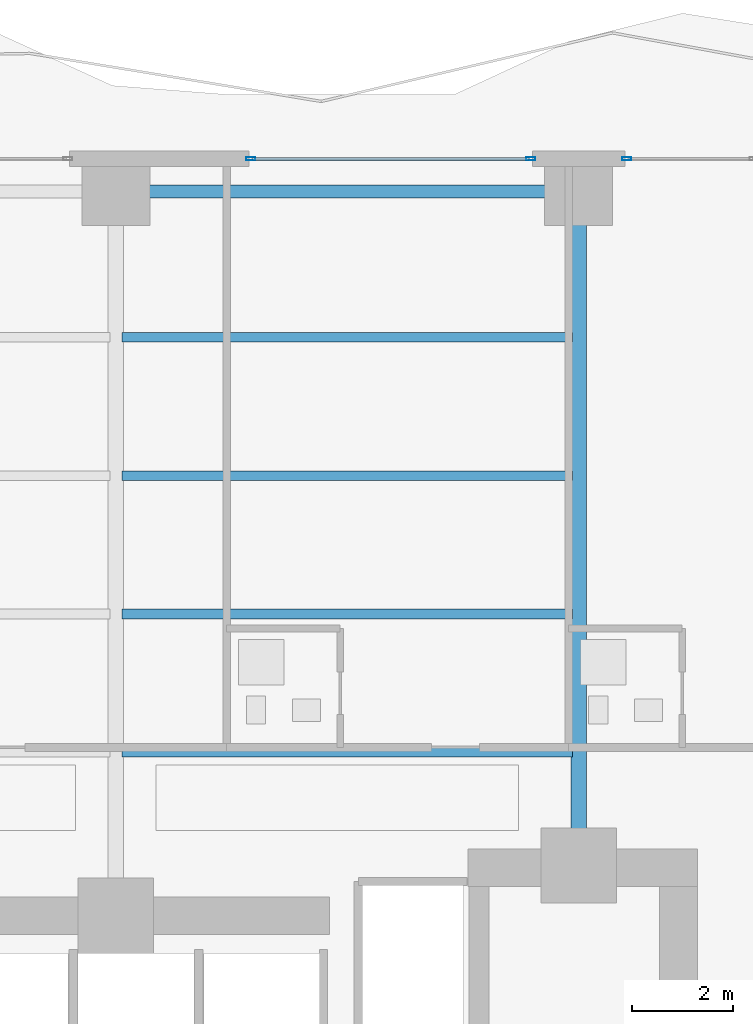
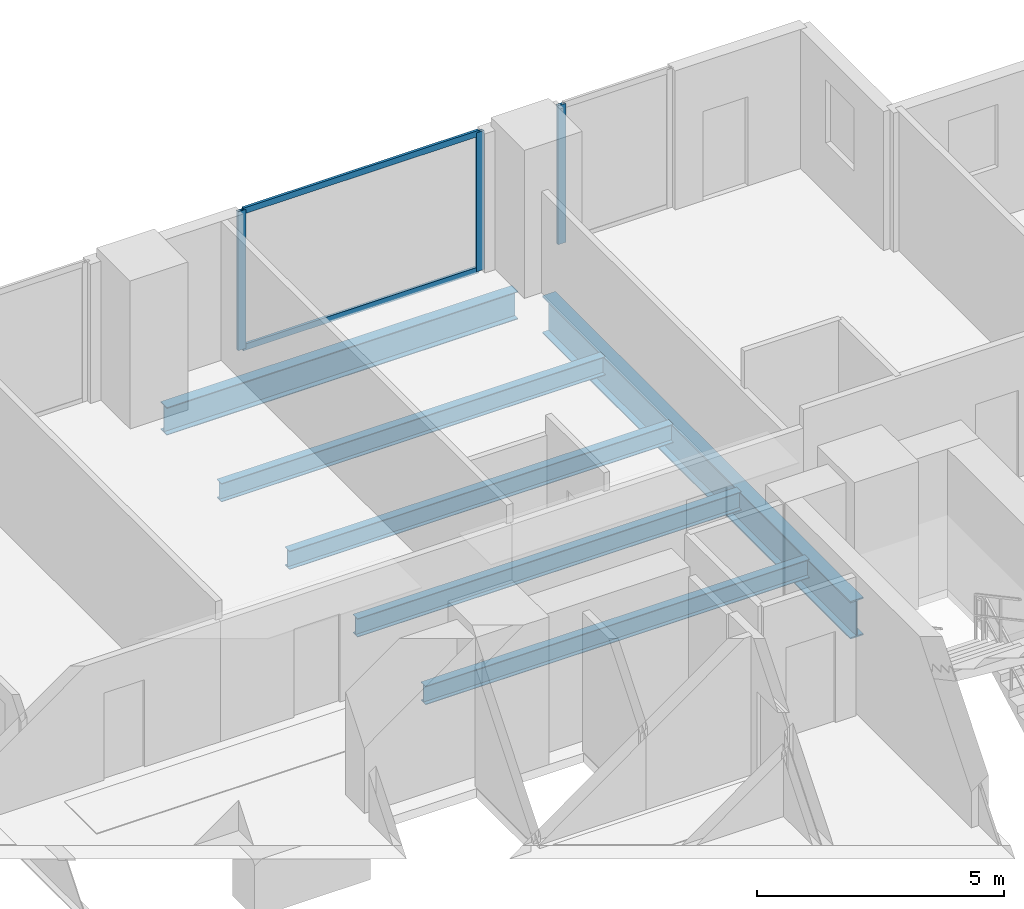
# One storey, part 18 of 30: 6 beams, 5 members, 2 elements without a shape of their own.
"""IFC4 building model written with IfcOpenShell, lengths in metres."""

from ifc_helpers import new_model, si_unit, direction, frame, origin, origin_2d, place, context, subcontext, project, spatial, hollow_rectangle, i_section, extrude, material, layer, layer_set, material_profile, profile_set, type_object, element, aggregate, save


model = new_model("IFC4")

# Units and contexts
model_context = context("Model", 3, precision=1e-05, world=origin(), true_north=direction((0.0, 1.0)))
body_context = subcontext(model_context, "Body", "Model", "MODEL_VIEW")
ifc_project = project(units=[si_unit("LENGTHUNIT", "METRE"), si_unit("AREAUNIT", "SQUARE_METRE"), si_unit("VOLUMEUNIT", "CUBIC_METRE"), si_unit("PLANEANGLEUNIT", "RADIAN"), si_unit("MASSUNIT", "GRAM", prefix="KILO")], contexts=[model_context])

# Site, building, storey
site_placement = place(None, origin())
site = spatial("IfcSite", under=ifc_project, at=site_placement, CompositionType="ELEMENT")
building_placement = place(site_placement, origin())
building = spatial("IfcBuilding", under=site, at=building_placement, Name="Zuhayl Quay Hotel", CompositionType="ELEMENT")
storey_placement = place(building_placement, frame((0.0, 0.0, 135.800048828125)))
storey = spatial("IfcBuildingStorey", under=building, at=storey_placement, Name="L34", CompositionType="ELEMENT", Elevation=135.800048828125)

# Beams
ifc_material_1 = material(Name="Steel ASTM A992 Grade 50", Category="steel")
ifc_material_profile_1 = material_profile(ifc_material_1, i_section(OverallWidth=0.25390625, OverallDepth=0.68310546875, WebThickness=0.012451171875, FlangeThickness=0.018798828125, at=origin_2d()), Name="W27X94")
ifc_profile_set_1 = profile_set([ifc_material_profile_1], Name="Steel ASTM A992 Grade 50")
beam_type_1 = type_object("IfcBeamType", Name="BM_B2_W27X94", PredefinedType="BEAM", material=ifc_profile_set_1)
beam_1_placement = place(storey_placement, frame((13.300048828125, 27.75, -0.5615234375), z_axis=(-1.0, 0.0, 0.0), x_axis=(0.0, -1.0, 0.0)))
element("IfcBeam", 1, at=beam_1_placement, inside=storey, type_object=beam_type_1, Name="L34 Floor Beam RG_L34_07", PredefinedType="BEAM", context=body_context, shape_type="SweptSolid", body=[
    extrude(i_section(OverallWidth=0.25390625, OverallDepth=0.68310546875, WebThickness=0.012451171875, FlangeThickness=0.018798828125, at=origin_2d()), origin(), (0.0, 0.0, 1.0), 8.199951171875),
])
ifc_material_profile_2 = material_profile(ifc_material_1, i_section(OverallWidth=0.18994140625, OverallDepth=0.45703125, WebThickness=0.009033203125, FlangeThickness=0.014404296875, at=origin_2d()), Name="W18X50")
ifc_profile_set_2 = profile_set([ifc_material_profile_2], Name="Steel ASTM A992 Grade 50")
beam_type_2 = type_object("IfcBeamType", Name="BM_J2_W18X50", PredefinedType="JOIST", material=ifc_profile_set_2)
for number, where, z_axis, x_axis, name in (
    (2, (4.718994140625, 16.60009765625, -0.448486328125), (1.0, 0.0, 0.0), (0.0, 1.0, 0.0), "L34 Floor Beam FJ_L34_1_3"),
    (3, (4.718994140625, 19.35009765625, -0.448486328125), (1.0, 0.0, 0.0), (0.0, 1.0, 0.0), "L34 Floor Beam FJ_L34_2_3"),
    (4, (4.718994140625, 22.10009765625, -0.448486328125), (1.0, 0.0, 0.0), (0.0, 1.0, 0.0), "L34 Floor Beam FJ_L34_3_3"),
    (5, (4.718994140625, 24.85009765625, -0.448486328125), (1.0, 0.0, 0.0), (0.0, 1.0, 0.0), "L34 Floor Beam FJ_L34_4_3"),
):
    element("IfcBeam", number, at=place(storey_placement, frame(where, z_axis=z_axis, x_axis=x_axis)), inside=storey, type_object=beam_type_2, Name=name, PredefinedType="JOIST", context=body_context, shape_type="SweptSolid", body=[
        extrude(i_section(OverallWidth=0.18994140625, OverallDepth=0.45703125, WebThickness=0.009033203125, FlangeThickness=0.014404296875, at=origin_2d()), origin(), (0.0, 0.0, 1.0), 8.9619140625),
    ])
ifc_material_profile_3 = material_profile(ifc_material_1, i_section(OverallWidth=0.306884765625, OverallDepth=0.927001953125, WebThickness=0.019287109375, FlangeThickness=0.031982421875, at=origin_2d()), Name="W36X194")
ifc_profile_set_3 = profile_set([ifc_material_profile_3], Name="Steel ASTM A992 Grade 50")
beam_type_3 = type_object("IfcBeamType", Name="BM_PG2_W36X194", PredefinedType="BEAM", material=ifc_profile_set_3)
beam_2_placement = place(storey_placement, frame((13.800048828125, 14.800048828125, -0.68359375), z_axis=(0.0, 1.0, 0.0), x_axis=(-1.0, 0.0, 0.0)))
element("IfcBeam", 6, at=beam_2_placement, inside=storey, type_object=beam_type_3, Name="L34 Floor Beam FG_N_L34_4", PredefinedType="BEAM", context=body_context, shape_type="SweptSolid", body=[
    extrude(i_section(OverallWidth=0.306884765625, OverallDepth=0.927001953125, WebThickness=0.019287109375, FlangeThickness=0.031982421875, at=origin_2d()), origin(), (0.0, 0.0, 1.0), 12.449951171875),
])

# Curtain wall, members
ifc_material_2 = material(Name="Anodised Aluminium 6063-T6", Category="aluminium")
ifc_layer = layer(ifc_material_2, 0.179931640625, Name="Anodised Aluminium 6063-T6", Category="aluminium")
ifc_layer_set = layer_set([ifc_layer], Name="Anodised Aluminium 6063-T6")
curtain_wall_type = type_object("IfcCurtainWallType", Name="CW_SYS_Z2", PredefinedType="USERDEFINED", material=ifc_layer_set)
curtain_wall_1_placement = place(storey_placement, origin())
curtain_wall_1 = element("IfcCurtainWall", 7, at=curtain_wall_1_placement, inside=storey, type_object=curtain_wall_type, Name="L34 Curtain Wall ENV_L34_N_CW5", ObjectType="UNITISED CURTAIN WALL", PredefinedType="USERDEFINED")
ifc_material_3 = material(Name="Black-anodised aluminium 6063-T6", Category="aluminium")
ifc_material_profile_4 = material_profile(ifc_material_3, hollow_rectangle(XDim=0.06494140625, YDim=0.179931640625, WallThickness=0.00341796875, at=origin_2d()), Name="ALU180X65")
ifc_profile_set_4 = profile_set([ifc_material_profile_4], Name="Black-anodised aluminium 6063-T6")
member_type_1 = type_object("IfcMemberType", Name="MB_CW_MUL_180", PredefinedType="MULLION", material=ifc_profile_set_4)
member_1_placement = place(storey_placement, frame((7.282470703125, 28.39990234375, 0.0), z_axis=(0.0, 0.0, 1.0), x_axis=(0.0, 1.0, 0.0)))
member_1 = element("IfcMember", 8, at=member_1_placement, type_object=member_type_1, Name="CW-Z2 mullion 1", PredefinedType="MULLION", context=body_context, shape_type="SweptSolid", body=[
    extrude(hollow_rectangle(XDim=0.06494140625, YDim=0.179931640625, WallThickness=0.00341796875, at=origin_2d()), origin(), (0.0, 0.0, 1.0), 3.429931640625),
])
member_2_placement = place(storey_placement, frame((12.847412109375, 28.39990234375, 0.0), z_axis=(0.0, 0.0, 1.0), x_axis=(0.0, 1.0, 0.0)))
member_2 = element("IfcMember", 9, at=member_2_placement, type_object=member_type_1, Name="CW-Z2 mullion 2", PredefinedType="MULLION", context=body_context, shape_type="SweptSolid", body=[
    extrude(hollow_rectangle(XDim=0.06494140625, YDim=0.179931640625, WallThickness=0.00341796875, at=origin_2d()), origin(), (0.0, 0.0, 1.0), 3.429931640625),
])

# Curtain wall, member
curtain_wall_2_placement = place(storey_placement, origin())
curtain_wall_2 = element("IfcCurtainWall", 10, at=curtain_wall_2_placement, inside=storey, type_object=curtain_wall_type, Name="L34 Curtain Wall ENV_L34_N_CW6", ObjectType="UNITISED CURTAIN WALL", PredefinedType="USERDEFINED")
member_3_placement = place(storey_placement, frame((14.75244140625, 28.39990234375, 0.0), z_axis=(0.0, 0.0, 1.0), x_axis=(0.0, 1.0, 0.0)))
member_3 = element("IfcMember", 11, at=member_3_placement, type_object=member_type_1, Name="CW-Z2 mullion 1", PredefinedType="MULLION", context=body_context, shape_type="SweptSolid", body=[
    extrude(hollow_rectangle(XDim=0.06494140625, YDim=0.179931640625, WallThickness=0.00341796875, at=origin_2d()), origin(), (0.0, 0.0, 1.0), 3.429931640625),
])
aggregate(curtain_wall_2, [member_3])

# Member
ifc_material_profile_5 = material_profile(ifc_material_3, hollow_rectangle(XDim=0.06005859375, YDim=0.14990234375, WallThickness=0.00341796875, at=origin_2d()), Name="ALU150X60")
ifc_profile_set_5 = profile_set([ifc_material_profile_5], Name="Black-anodised aluminium 6063-T6")
member_type_2 = type_object("IfcMemberType", Name="MB_CW_TRN_150", PredefinedType="USERDEFINED", material=ifc_profile_set_5)
member_4_placement = place(storey_placement, frame((7.31494140625, 28.39990234375, 0.030029296875), z_axis=(1.0, 0.0, 0.0), x_axis=(0.0, 1.0, 0.0)))
member_4 = element("IfcMember", 12, at=member_4_placement, type_object=member_type_2, Name="CW-Z2 transom 1.1", ObjectType="TRANSOM", PredefinedType="USERDEFINED", context=body_context, shape_type="SweptSolid", body=[
    extrude(hollow_rectangle(XDim=0.06005859375, YDim=0.14990234375, WallThickness=0.00341796875, at=origin_2d()), origin(), (0.0, 0.0, 1.0), 5.5),
])

member_5_placement = place(storey_placement, frame((7.31494140625, 28.39990234375, 3.39990234375), z_axis=(1.0, 0.0, 0.0), x_axis=(0.0, 1.0, 0.0)))
member_5 = element("IfcMember", 13, at=member_5_placement, type_object=member_type_2, Name="CW-Z2 transom 1.2", ObjectType="TRANSOM", PredefinedType="USERDEFINED", context=body_context, shape_type="SweptSolid", body=[
    extrude(hollow_rectangle(XDim=0.06005859375, YDim=0.14990234375, WallThickness=0.00341796875, at=origin_2d()), origin(), (0.0, 0.0, 1.0), 5.5),
])

aggregate(curtain_wall_1, [member_1, member_2, member_4, member_5])

save(model, "model.ifc")
